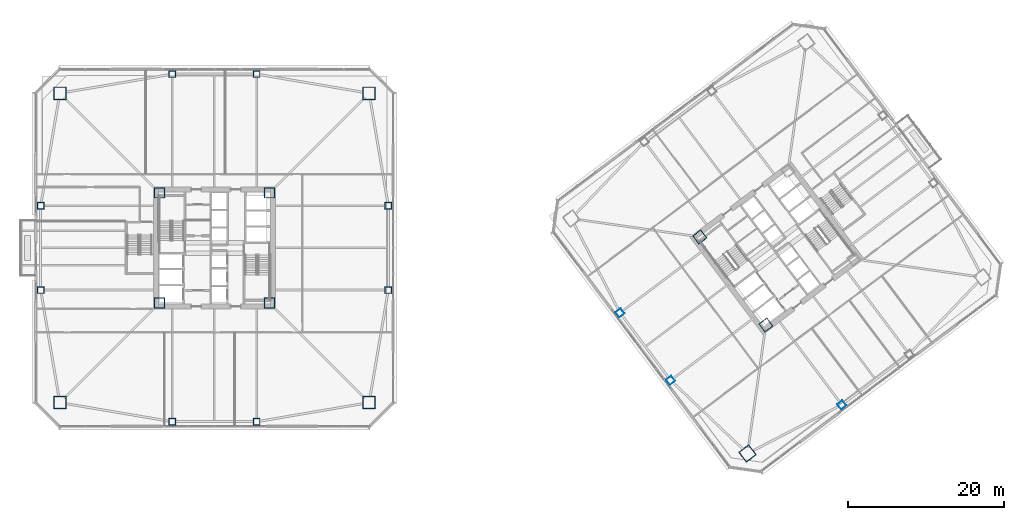
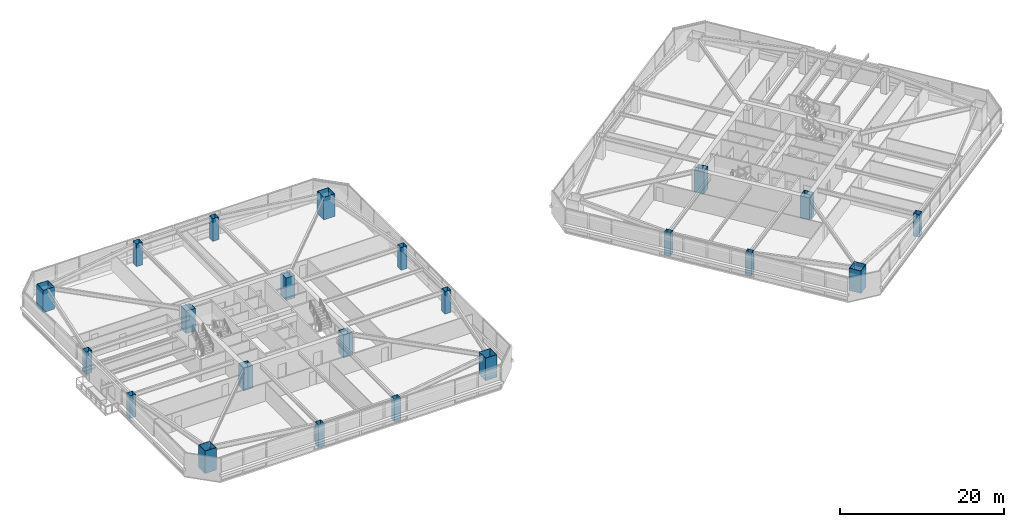
# One storey, part 1 of 47: 22 columns.
"""IFC4 building model written with IfcOpenShell, lengths in metres."""

from ifc_helpers import new_model, si_unit, direction, frame, origin, origin_2d, place, context, subcontext, project, spatial, hollow_rectangle, extrude, material, material_profile, profile_set, type_object, element, save


model = new_model("IFC4")

# Units and contexts
model_context = context("Model", 3, precision=1e-05, world=origin(), true_north=direction((0.0, 1.0)))
body_context = subcontext(model_context, "Body", "Model", "MODEL_VIEW")
ifc_project = project(units=[si_unit("LENGTHUNIT", "METRE"), si_unit("AREAUNIT", "SQUARE_METRE"), si_unit("VOLUMEUNIT", "CUBIC_METRE"), si_unit("PLANEANGLEUNIT", "RADIAN"), si_unit("MASSUNIT", "GRAM", prefix="KILO")], contexts=[model_context])

# Site, building, storey
site_placement = place(None, origin())
site = spatial("IfcSite", under=ifc_project, at=site_placement, CompositionType="ELEMENT")
building_placement = place(site_placement, origin())
building = spatial("IfcBuilding", under=site, at=building_placement, Name="Tashvorn Skyway Center", CompositionType="ELEMENT")
storey_placement = place(building_placement, frame((0.0, 0.0, 42.35009765625)))
storey = spatial("IfcBuildingStorey", under=building, at=storey_placement, Name="L10", CompositionType="ELEMENT", Elevation=42.35009765625)

# Columns
ifc_material = material(Name="Steel ASTM A572 Grade 50", Category="steel")
ifc_material_profile_1 = material_profile(ifc_material, hollow_rectangle(XDim=1.300048828125, YDim=1.300048828125, WallThickness=0.050048828125, at=origin_2d()), Name="BOX1300x1300x50")
ifc_profile_set_1 = profile_set([ifc_material_profile_1], Name="Steel ASTM A572 Grade 50")
column_type_1 = type_object("IfcColumnType", Name="COL-BOX1300x1300x50", PredefinedType="COLUMN", material=ifc_profile_set_1)
for number, where, z_axis, x_axis, name in (
    (1, (34.949951171875, 24.949951171875, 0.0), (0.0, 0.0, 1.0), (1.0, 0.0, 0.0), "Tower 1 L10 Core Corner Column CC-SW"),
    (2, (49.050048828125, 24.949951171875, 0.0), (0.0, 0.0, 1.0), (1.0, 0.0, 0.0), "Tower 1 L10 Core Corner Column CC-SE"),
    (3, (49.050048828125, 39.050048828125, 0.0), (0.0, 0.0, 1.0), (1.0, 0.0, 0.0), "Tower 1 L10 Core Corner Column CC-NE"),
    (4, (34.949951171875, 39.050048828125, 0.0), (0.0, 0.0, 1.0), (1.0, 0.0, 0.0), "Tower 1 L10 Core Corner Column CC-NW"),
    (5, (112.590087890625, 22.1298828125, 0.0), (0.0, 0.0, 1.0), (0.799999996291, 0.600000004945, 0.0), "Tower 2 L10 Core Corner Column CC-SW"),
    (6, (104.1298828125, 33.409912109375, 0.0), (0.0, 0.0, 1.0), (0.799999996291, 0.600000004945, 0.0), "Tower 2 L10 Core Corner Column CC-NW"),
):
    element("IfcColumn", number, at=place(storey_placement, frame(where, z_axis=z_axis, x_axis=x_axis)), inside=storey, type_object=column_type_1, Name=name, PredefinedType="COLUMN", context=body_context, shape_type="SweptSolid", body=[
        extrude(hollow_rectangle(XDim=1.300048828125, YDim=1.300048828125, WallThickness=0.050048828125, at=origin_2d()), origin(), (0.0, 0.0, 1.0), 3.349853515625),
    ])
ifc_material_profile_2 = material_profile(ifc_material, hollow_rectangle(XDim=1.60009765625, YDim=1.60009765625, WallThickness=0.06005859375, at=origin_2d()), Name="BOX1600x1600x60")
ifc_profile_set_2 = profile_set([ifc_material_profile_2], Name="Steel ASTM A572 Grade 50")
column_type_2 = type_object("IfcColumnType", Name="COL-BOX1600x1600x60", PredefinedType="COLUMN", material=ifc_profile_set_2)
for number, where, z_axis, x_axis, name in (
    (7, (22.199951171875, 12.199951171875, 0.0), (0.0, 0.0, 1.0), (1.0, 0.0, 0.0), "Tower 1 L10 Mega-Column MC-SW"),
    (8, (61.800048828125, 12.199951171875, 0.0), (0.0, 0.0, 1.0), (1.0, 0.0, 0.0), "Tower 1 L10 Mega-Column MC-SE"),
    (9, (61.800048828125, 51.800048828125, 0.0), (0.0, 0.0, 1.0), (1.0, 0.0, 0.0), "Tower 1 L10 Mega-Column MC-NE"),
    (10, (22.199951171875, 51.800048828125, 0.0), (0.0, 0.0, 1.0), (1.0, 0.0, 0.0), "Tower 1 L10 Mega-Column MC-NW"),
    (11, (110.239990234375, 5.679931640625, 0.0), (0.0, 0.0, 1.0), (0.799999996291, 0.600000004945, 0.0), "Tower 2 L10 Mega-Column MC-SW"),
):
    element("IfcColumn", number, at=place(storey_placement, frame(where, z_axis=z_axis, x_axis=x_axis)), inside=storey, type_object=column_type_2, Name=name, PredefinedType="COLUMN", context=body_context, shape_type="SweptSolid", body=[
        extrude(hollow_rectangle(XDim=1.60009765625, YDim=1.60009765625, WallThickness=0.06005859375, at=origin_2d()), origin(), (0.0, 0.0, 1.0), 3.349853515625),
    ])
ifc_material_profile_3 = material_profile(ifc_material, hollow_rectangle(XDim=0.85009765625, YDim=0.85009765625, WallThickness=0.034912109375, at=origin_2d()), Name="BOX850x850x35")
ifc_profile_set_3 = profile_set([ifc_material_profile_3], Name="Steel ASTM A572 Grade 50")
column_type_3 = type_object("IfcColumnType", Name="COL-BOX850x850x35", PredefinedType="COLUMN", material=ifc_profile_set_3)
for number, where, z_axis, x_axis, name in (
    (12, (36.60009765625, 9.75, 0.0), (0.0, 0.0, 1.0), (1.0, 0.0, 0.0), "Tower 1 L10 Perimeter Column FC-S1"),
    (13, (47.39990234375, 9.75, 0.0), (0.0, 0.0, 1.0), (1.0, 0.0, 0.0), "Tower 1 L10 Perimeter Column FC-S2"),
    (14, (64.25, 26.60009765625, 0.0), (0.0, 0.0, 1.0), (1.0, 0.0, 0.0), "Tower 1 L10 Perimeter Column FC-E1"),
    (15, (64.25, 37.39990234375, 0.0), (0.0, 0.0, 1.0), (1.0, 0.0, 0.0), "Tower 1 L10 Perimeter Column FC-E2"),
    (16, (47.39990234375, 54.25, 0.0), (0.0, 0.0, 1.0), (1.0, 0.0, 0.0), "Tower 1 L10 Perimeter Column FC-N1"),
    (17, (36.60009765625, 54.25, 0.0), (0.0, 0.0, 1.0), (1.0, 0.0, 0.0), "Tower 1 L10 Perimeter Column FC-N2"),
    (18, (19.75, 37.39990234375, 0.0), (0.0, 0.0, 1.0), (1.0, 0.0, 0.0), "Tower 1 L10 Perimeter Column FC-W1"),
    (19, (19.75, 26.60009765625, 0.0), (0.0, 0.0, 1.0), (1.0, 0.0, 0.0), "Tower 1 L10 Perimeter Column FC-W2"),
    (20, (122.31005859375, 11.919921875, 0.0), (0.0, 0.0, 1.0), (0.799999996291, 0.600000004945, 0.0), "Tower 2 L10 Perimeter Column FC-S1"),
    (21, (93.919921875, 23.68994140625, 0.0), (0.0, 0.0, 1.0), (0.799999996291, 0.600000004945, 0.0), "Tower 2 L10 Perimeter Column FC-W1"),
    (22, (100.39990234375, 15.050048828125, 0.0), (0.0, 0.0, 1.0), (0.799999996291, 0.600000004945, 0.0), "Tower 2 L10 Perimeter Column FC-W2"),
):
    element("IfcColumn", number, at=place(storey_placement, frame(where, z_axis=z_axis, x_axis=x_axis)), inside=storey, type_object=column_type_3, Name=name, PredefinedType="COLUMN", context=body_context, shape_type="SweptSolid", body=[
        extrude(hollow_rectangle(XDim=0.85009765625, YDim=0.85009765625, WallThickness=0.034912109375, at=origin_2d()), origin(), (0.0, 0.0, 1.0), 3.349853515625),
    ])

save(model, "model.ifc")
